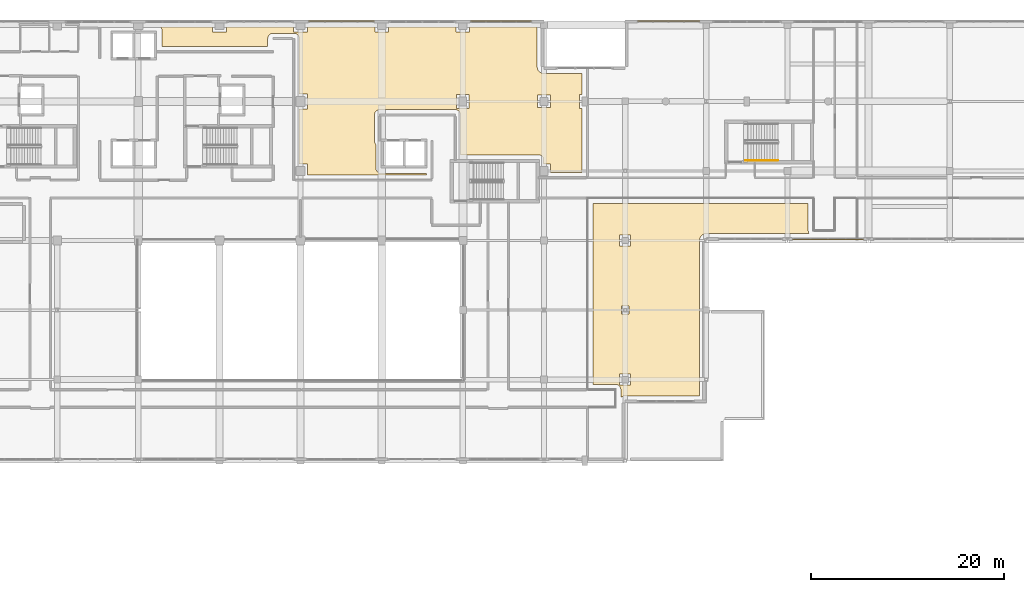
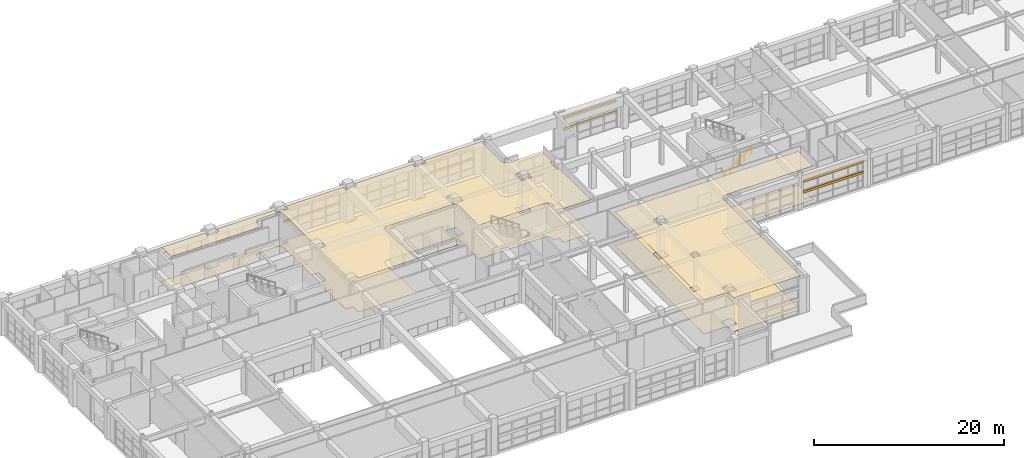
# One storey, part 121 of 123: 8 shading devices, 4 coverings, 1 railing.
"""IFC4 building model written with IfcOpenShell, lengths in metres."""

from ifc_helpers import new_model, si_unit, direction, frame, origin, origin_2d, place, context, subcontext, project, spatial, polyline, hollow_rectangle, circle, outline, extrude, material, layer, layer_set, material_profile, profile_set, type_object, element, save


model = new_model("IFC4")

# Units and contexts
model_context = context("Model", 3, precision=1e-05, world=origin(), true_north=direction((0.0, 1.0)))
body_context = subcontext(model_context, "Body", "Model", "MODEL_VIEW")
ifc_project = project(units=[si_unit("LENGTHUNIT", "METRE"), si_unit("AREAUNIT", "SQUARE_METRE"), si_unit("VOLUMEUNIT", "CUBIC_METRE"), si_unit("PLANEANGLEUNIT", "RADIAN"), si_unit("MASSUNIT", "GRAM", prefix="KILO")], contexts=[model_context])

# Site, building, storey
site_placement = place(None, origin())
site = spatial("IfcSite", under=ifc_project, at=site_placement, CompositionType="ELEMENT")
building_placement = place(site_placement, origin())
building = spatial("IfcBuilding", under=site, at=building_placement, Name="Quendrovan Civic Courthouse", CompositionType="ELEMENT")
storey_placement = place(building_placement, frame((0.0, 0.0, 5.39990234375)))
storey = spatial("IfcBuildingStorey", under=building, at=storey_placement, Name="L02", CompositionType="ELEMENT", Elevation=5.39990234375)

# Coverings
ifc_material_1 = material(Name="Perforated Western Red Cedar and mineral acoustic ceiling")
ifc_layer_1 = layer(ifc_material_1, 0.034912109375, Name="Perforated Western Red Cedar and mineral acoustic ceiling")
ifc_layer_set_1 = layer_set([ifc_layer_1], Name="Perforated Western Red Cedar and mineral acoustic ceiling")
covering_type_1 = type_object("IfcCoveringType", Name="COV-CEIL-ACOUSTIC", PredefinedType="CEILING", material=ifc_layer_set_1)
covering_1_placement = place(storey_placement, frame((0.0, 0.0, 4.34521484375)))
element("IfcCovering", 1, at=covering_1_placement, inside=storey, type_object=covering_type_1, Name="L02 Trial Courtroom Acoustic Ceiling", PredefinedType="CEILING", context=body_context, shape_type="SweptSolid", body=[
    extrude(outline(polyline([(64.001220703125, 108.92529296875), (63.961181640625, 108.888916015625), (63.9248046875, 108.848876953125), (63.892578125, 108.8056640625), (63.864990234375, 108.75927734375), (63.841796875, 108.71044921875), (63.82373046875, 108.65966796875), (63.810546875, 108.607421875), (63.802490234375, 108.553955078125), (63.800048828125, 108.5), (63.800048828125, 107.699951171875), (52.860107421875, 107.699951171875), (52.860107421875, 109.31005859375), (52.857421875, 109.364013671875), (52.849365234375, 109.417236328125), (52.836181640625, 109.4697265625), (52.818115234375, 109.5205078125), (52.795166015625, 109.5693359375), (52.767333984375, 109.615478515625), (52.735107421875, 109.658935546875), (52.70703125, 109.68994140625), (58.074951171875, 109.68994140625), (58.074951171875, 109.175048828125), (59.52490234375, 109.175048828125), (59.52490234375, 109.68994140625), (66.47509765625, 109.68994140625), (66.47509765625, 109.175048828125), (67.925048828125, 109.175048828125), (67.925048828125, 109.68994140625), (74.89990234375, 109.68994140625), (74.89990234375, 109.199951171875), (76.300048828125, 109.199951171875), (76.300048828125, 109.68994140625), (83.300048828125, 109.68994140625), (83.300048828125, 109.199951171875), (84.699951171875, 109.199951171875), (84.699951171875, 109.68994140625), (91.68994140625, 109.68994140625), (91.68994140625, 105.60009765625), (91.690673828125, 105.572021484375), (91.69140625, 105.556396484375), (91.69677734375, 105.503662109375), (91.69921875, 105.488037109375), (91.70947265625, 105.435302734375), (91.71337890625, 105.420166015625), (91.72900390625, 105.3681640625), (91.734375, 105.353515625), (91.7548828125, 105.30419921875), (91.761474609375, 105.289794921875), (91.787353515625, 105.24169921875), (91.79541015625, 105.22802734375), (91.824462890625, 105.1845703125), (91.833740234375, 105.171875), (91.870361328125, 105.12744140625), (91.880859375, 105.115966796875), (91.916015625, 105.080810546875), (91.927490234375, 105.0703125), (91.971923828125, 105.03369140625), (91.984619140625, 105.0244140625), (92.028076171875, 104.995361328125), (92.04150390625, 104.9873046875), (92.08984375, 104.96142578125), (92.10400390625, 104.954833984375), (92.1533203125, 104.934326171875), (92.168212890625, 104.92919921875), (92.22021484375, 104.913330078125), (92.2353515625, 104.909423828125), (92.2880859375, 104.899169921875), (92.3037109375, 104.896728515625), (92.356201171875, 104.8916015625), (92.3720703125, 104.890625), (92.39990234375, 104.889892578125), (96.35009765625, 104.889892578125), (96.35009765625, 102.72509765625), (96.074951171875, 102.72509765625), (96.074951171875, 101.27490234375), (96.35009765625, 101.27490234375), (96.35009765625, 94.64990234375), (93.050048828125, 94.64990234375), (93.050048828125, 95.52490234375), (92.3701171875, 95.52490234375), (92.3701171875, 95.919921875), (92.367431640625, 95.973876953125), (92.359375, 96.02734375), (92.34619140625, 96.07958984375), (92.328125, 96.130615234375), (92.30517578125, 96.17919921875), (92.27734375, 96.2255859375), (92.2451171875, 96.268798828125), (92.208984375, 96.308837890625), (92.1689453125, 96.34521484375), (92.12548828125, 96.377197265625), (92.079345703125, 96.405029296875), (92.030517578125, 96.427978515625), (91.979736328125, 96.4462890625), (91.92724609375, 96.45947265625), (91.873779296875, 96.46728515625), (91.820068359375, 96.469970703125), (83.75, 96.469970703125), (83.75, 100.60009765625), (83.747314453125, 100.65380859375), (83.739501953125, 100.707275390625), (83.726318359375, 100.759765625), (83.7080078125, 100.810546875), (83.68505859375, 100.859375), (83.6572265625, 100.905517578125), (83.625244140625, 100.948974609375), (83.5888671875, 100.989013671875), (83.548828125, 101.025146484375), (83.505615234375, 101.057373046875), (83.459228515625, 101.085205078125), (83.410400390625, 101.108154296875), (83.359619140625, 101.126220703125), (83.307373046875, 101.139404296875), (83.25390625, 101.1474609375), (83.199951171875, 101.14990234375), (75.39990234375, 101.14990234375), (75.34619140625, 101.1474609375), (75.292724609375, 101.139404296875), (75.240234375, 101.126220703125), (75.189453125, 101.108154296875), (75.140625, 101.085205078125), (75.094482421875, 101.057373046875), (75.051025390625, 101.025146484375), (75.010986328125, 100.989013671875), (74.974853515625, 100.948974609375), (74.942626953125, 100.905517578125), (74.914794921875, 100.859375), (74.891845703125, 100.810546875), (74.873779296875, 100.759765625), (74.860595703125, 100.707275390625), (74.8525390625, 100.65380859375), (74.85009765625, 100.60009765625), (74.85009765625, 97.89990234375), (74.8525390625, 97.84619140625), (74.860595703125, 97.792724609375), (74.873779296875, 97.740234375), (74.891845703125, 97.689453125), (74.914794921875, 97.640625), (74.942626953125, 97.594482421875), (74.974853515625, 97.551025390625), (74.989990234375, 97.534423828125), (74.989990234375, 95.090087890625), (74.99267578125, 95.0361328125), (75.00048828125, 94.982666015625), (75.013671875, 94.930419921875), (75.031982421875, 94.87939453125), (75.054931640625, 94.830810546875), (75.082763671875, 94.784423828125), (75.11474609375, 94.7412109375), (75.151123046875, 94.701171875), (75.191162109375, 94.664794921875), (75.234375, 94.6328125), (75.28076171875, 94.60498046875), (75.32958984375, 94.581787109375), (75.38037109375, 94.563720703125), (75.4326171875, 94.550537109375), (75.486083984375, 94.54248046875), (75.5400390625, 94.5400390625), (80.25, 94.5400390625), (80.25, 94.39990234375), (67.925048828125, 94.39990234375), (67.925048828125, 95.52490234375), (67.050048828125, 95.52490234375), (67.050048828125, 101.22509765625), (67.89990234375, 101.22509765625), (67.89990234375, 102.77490234375), (67.050048828125, 102.77490234375), (67.050048828125, 108.5), (67.04736328125, 108.553955078125), (67.039306640625, 108.607421875), (67.0263671875, 108.65966796875), (67.008056640625, 108.71044921875), (66.985107421875, 108.75927734375), (66.957275390625, 108.8056640625), (66.92529296875, 108.848876953125), (66.888916015625, 108.888916015625), (66.848876953125, 108.92529296875), (66.8056640625, 108.957275390625), (66.75927734375, 108.985107421875), (66.71044921875, 109.008056640625), (66.65966796875, 109.0263671875), (66.607421875, 109.039306640625), (66.553955078125, 109.04736328125), (66.5, 109.050048828125), (64.35009765625, 109.050048828125), (64.296142578125, 109.04736328125), (64.24267578125, 109.039306640625), (64.190185546875, 109.0263671875), (64.139404296875, 109.008056640625), (64.0908203125, 108.985107421875), (64.04443359375, 108.957275390625), (64.001220703125, 108.92529296875)]), holes=[polyline([(83.35009765625, 102.72509765625), (83.35009765625, 101.27490234375), (84.64990234375, 101.27490234375), (84.64990234375, 102.72509765625), (83.35009765625, 102.72509765625)]), polyline([(93.050048828125, 101.35009765625), (93.050048828125, 102.64990234375), (91.75, 102.64990234375), (91.75, 101.35009765625), (93.050048828125, 101.35009765625)])]), origin(), (0.0, 0.0, 1.0), 0.034912109375),
])
covering_2_placement = place(storey_placement, frame((0.0, 0.0, 4.34521484375)))
element("IfcCovering", 2, at=covering_2_placement, inside=storey, type_object=covering_type_1, Name="L02 Public Hall Upper Waiting Gallery Acoustic Ceiling", PredefinedType="CEILING", context=body_context, shape_type="SweptSolid", body=[
    extrude(outline(polyline([(100.504150390625, 71.4453125), (100.489990234375, 71.4384765625), (100.441650390625, 71.41259765625), (100.427978515625, 71.404541015625), (100.384521484375, 71.37548828125), (100.371826171875, 71.3662109375), (100.35009765625, 71.34814453125), (100.35009765625, 72.14990234375), (100.347412109375, 72.203857421875), (100.33935546875, 72.25732421875), (100.326416015625, 72.309814453125), (100.30810546875, 72.360595703125), (100.28515625, 72.4091796875), (100.25732421875, 72.45556640625), (100.22509765625, 72.498779296875), (100.18896484375, 72.538818359375), (100.14892578125, 72.5751953125), (100.105712890625, 72.607421875), (100.059326171875, 72.635009765625), (100.010498046875, 72.658203125), (99.959716796875, 72.67626953125), (99.9072265625, 72.689453125), (99.85400390625, 72.697509765625), (99.800048828125, 72.699951171875), (97.449951171875, 72.699951171875), (97.449951171875, 91.449951171875), (119.75, 91.449951171875), (119.75, 88.60009765625), (119.752685546875, 88.546142578125), (119.760498046875, 88.49267578125), (119.773681640625, 88.440185546875), (119.7919921875, 88.389404296875), (119.81494140625, 88.3408203125), (119.83349609375, 88.31005859375), (109.199951171875, 88.31005859375), (109.172119140625, 88.309326171875), (109.15625, 88.30859375), (109.103515625, 88.30322265625), (109.088134765625, 88.30078125), (109.035400390625, 88.29052734375), (109.020263671875, 88.28662109375), (108.96826171875, 88.27099609375), (108.953369140625, 88.265625), (108.904052734375, 88.2451171875), (108.889892578125, 88.238525390625), (108.841552734375, 88.212646484375), (108.828125, 88.20458984375), (108.784423828125, 88.175537109375), (108.77197265625, 88.166259765625), (108.7275390625, 88.129638671875), (108.7158203125, 88.119140625), (108.680908203125, 88.083984375), (108.67041015625, 88.072509765625), (108.6337890625, 88.028076171875), (108.62451171875, 88.015380859375), (108.595458984375, 87.971923828125), (108.58740234375, 87.95849609375), (108.5615234375, 87.91015625), (108.5546875, 87.89599609375), (108.534423828125, 87.8466796875), (108.529052734375, 87.831787109375), (108.51318359375, 87.77978515625), (108.509521484375, 87.7646484375), (108.4990234375, 87.7119140625), (108.496826171875, 87.6962890625), (108.491455078125, 87.643798828125), (108.49072265625, 87.6279296875), (108.489990234375, 87.60009765625), (108.489990234375, 71.510009765625), (100.800048828125, 71.510009765625), (100.77197265625, 71.50927734375), (100.75634765625, 71.508544921875), (100.70361328125, 71.503173828125), (100.68798828125, 71.5009765625), (100.635498046875, 71.490478515625), (100.6201171875, 71.48681640625), (100.568115234375, 71.470947265625), (100.553466796875, 71.465576171875), (100.504150390625, 71.4453125)]), holes=[polyline([(100.22509765625, 73.77490234375), (100.22509765625, 72.625), (101.375, 72.625), (101.375, 73.77490234375), (100.22509765625, 73.77490234375)]), polyline([(101.199951171875, 80.800048828125), (100.39990234375, 80.800048828125), (100.39990234375, 80.0), (101.199951171875, 80.0), (101.199951171875, 80.800048828125)]), polyline([(101.375, 87.02490234375), (101.375, 88.175048828125), (100.22509765625, 88.175048828125), (100.22509765625, 87.02490234375), (101.375, 87.02490234375)])]), origin(), (0.0, 0.0, 1.0), 0.034912109375),
])
ifc_material_2 = material(Name="Honed Dominican coralina limestone flooring", Category="masonry")
ifc_layer_2 = layer(ifc_material_2, 0.030029296875, Name="Honed Dominican coralina limestone flooring")
ifc_layer_set_2 = layer_set([ifc_layer_2], Name="Honed Dominican coralina limestone flooring")
covering_type_2 = type_object("IfcCoveringType", Name="COV-FLOR-STONE", PredefinedType="FLOORING", material=ifc_layer_set_2)
covering_3_placement = place(storey_placement, origin())
element("IfcCovering", 3, at=covering_3_placement, inside=storey, type_object=covering_type_2, Name="L02 Public Hall Upper Waiting Gallery Finish Flooring", PredefinedType="FLOORING", context=body_context, shape_type="SweptSolid", body=[
    extrude(outline(polyline([(100.504150390625, 71.4453125), (100.489990234375, 71.4384765625), (100.441650390625, 71.41259765625), (100.427978515625, 71.404541015625), (100.384521484375, 71.37548828125), (100.371826171875, 71.3662109375), (100.35009765625, 71.34814453125), (100.35009765625, 72.14990234375), (100.347412109375, 72.203857421875), (100.33935546875, 72.25732421875), (100.326416015625, 72.309814453125), (100.30810546875, 72.360595703125), (100.28515625, 72.4091796875), (100.25732421875, 72.45556640625), (100.22509765625, 72.498779296875), (100.18896484375, 72.538818359375), (100.14892578125, 72.5751953125), (100.105712890625, 72.607421875), (100.059326171875, 72.635009765625), (100.010498046875, 72.658203125), (99.959716796875, 72.67626953125), (99.9072265625, 72.689453125), (99.85400390625, 72.697509765625), (99.800048828125, 72.699951171875), (97.449951171875, 72.699951171875), (97.449951171875, 91.449951171875), (119.75, 91.449951171875), (119.75, 88.60009765625), (119.752685546875, 88.546142578125), (119.760498046875, 88.49267578125), (119.773681640625, 88.440185546875), (119.7919921875, 88.389404296875), (119.81494140625, 88.3408203125), (119.83349609375, 88.31005859375), (109.199951171875, 88.31005859375), (109.172119140625, 88.309326171875), (109.15625, 88.30859375), (109.103515625, 88.30322265625), (109.088134765625, 88.30078125), (109.035400390625, 88.29052734375), (109.020263671875, 88.28662109375), (108.96826171875, 88.27099609375), (108.953369140625, 88.265625), (108.904052734375, 88.2451171875), (108.889892578125, 88.238525390625), (108.841552734375, 88.212646484375), (108.828125, 88.20458984375), (108.784423828125, 88.175537109375), (108.77197265625, 88.166259765625), (108.7275390625, 88.129638671875), (108.7158203125, 88.119140625), (108.680908203125, 88.083984375), (108.67041015625, 88.072509765625), (108.6337890625, 88.028076171875), (108.62451171875, 88.015380859375), (108.595458984375, 87.971923828125), (108.58740234375, 87.95849609375), (108.5615234375, 87.91015625), (108.5546875, 87.89599609375), (108.534423828125, 87.8466796875), (108.529052734375, 87.831787109375), (108.51318359375, 87.77978515625), (108.509521484375, 87.7646484375), (108.4990234375, 87.7119140625), (108.496826171875, 87.6962890625), (108.491455078125, 87.643798828125), (108.49072265625, 87.6279296875), (108.489990234375, 87.60009765625), (108.489990234375, 71.510009765625), (100.800048828125, 71.510009765625), (100.77197265625, 71.50927734375), (100.75634765625, 71.508544921875), (100.70361328125, 71.503173828125), (100.68798828125, 71.5009765625), (100.635498046875, 71.490478515625), (100.6201171875, 71.48681640625), (100.568115234375, 71.470947265625), (100.553466796875, 71.465576171875), (100.504150390625, 71.4453125)]), holes=[polyline([(100.22509765625, 73.77490234375), (100.22509765625, 72.625), (101.375, 72.625), (101.375, 73.77490234375), (100.22509765625, 73.77490234375)]), polyline([(101.199951171875, 80.800048828125), (100.39990234375, 80.800048828125), (100.39990234375, 80.0), (101.199951171875, 80.0), (101.199951171875, 80.800048828125)]), polyline([(101.375, 87.02490234375), (101.375, 88.175048828125), (100.22509765625, 88.175048828125), (100.22509765625, 87.02490234375), (101.375, 87.02490234375)])]), origin(), (0.0, 0.0, 1.0), 0.030029296875),
])
ifc_material_3 = material(Name="Solid oak courtroom parquet flooring")
ifc_layer_3 = layer(ifc_material_3, 0.02490234375, Name="Solid oak courtroom parquet flooring")
ifc_layer_set_3 = layer_set([ifc_layer_3], Name="Solid oak courtroom parquet flooring")
covering_type_3 = type_object("IfcCoveringType", Name="COV-FLOR-TIMBER", PredefinedType="FLOORING", material=ifc_layer_set_3)
covering_4_placement = place(storey_placement, origin())
element("IfcCovering", 4, at=covering_4_placement, inside=storey, type_object=covering_type_3, Name="L02 Trial Courtroom Finish Flooring", PredefinedType="FLOORING", context=body_context, shape_type="SweptSolid", body=[
    extrude(outline(polyline([(64.001220703125, 108.92529296875), (63.961181640625, 108.888916015625), (63.9248046875, 108.848876953125), (63.892578125, 108.8056640625), (63.864990234375, 108.75927734375), (63.841796875, 108.71044921875), (63.82373046875, 108.65966796875), (63.810546875, 108.607421875), (63.802490234375, 108.553955078125), (63.800048828125, 108.5), (63.800048828125, 107.699951171875), (52.860107421875, 107.699951171875), (52.860107421875, 109.31005859375), (52.857421875, 109.364013671875), (52.849365234375, 109.417236328125), (52.836181640625, 109.4697265625), (52.818115234375, 109.5205078125), (52.795166015625, 109.5693359375), (52.767333984375, 109.615478515625), (52.735107421875, 109.658935546875), (52.70703125, 109.68994140625), (58.074951171875, 109.68994140625), (58.074951171875, 109.175048828125), (59.52490234375, 109.175048828125), (59.52490234375, 109.68994140625), (66.47509765625, 109.68994140625), (66.47509765625, 109.175048828125), (67.925048828125, 109.175048828125), (67.925048828125, 109.68994140625), (74.89990234375, 109.68994140625), (74.89990234375, 109.199951171875), (76.300048828125, 109.199951171875), (76.300048828125, 109.68994140625), (83.300048828125, 109.68994140625), (83.300048828125, 109.199951171875), (84.699951171875, 109.199951171875), (84.699951171875, 109.68994140625), (91.68994140625, 109.68994140625), (91.68994140625, 105.60009765625), (91.690673828125, 105.572021484375), (91.69140625, 105.556396484375), (91.69677734375, 105.503662109375), (91.69921875, 105.488037109375), (91.70947265625, 105.435302734375), (91.71337890625, 105.420166015625), (91.72900390625, 105.3681640625), (91.734375, 105.353515625), (91.7548828125, 105.30419921875), (91.761474609375, 105.289794921875), (91.787353515625, 105.24169921875), (91.79541015625, 105.22802734375), (91.824462890625, 105.1845703125), (91.833740234375, 105.171875), (91.870361328125, 105.12744140625), (91.880859375, 105.115966796875), (91.916015625, 105.080810546875), (91.927490234375, 105.0703125), (91.971923828125, 105.03369140625), (91.984619140625, 105.0244140625), (92.028076171875, 104.995361328125), (92.04150390625, 104.9873046875), (92.08984375, 104.96142578125), (92.10400390625, 104.954833984375), (92.1533203125, 104.934326171875), (92.168212890625, 104.92919921875), (92.22021484375, 104.913330078125), (92.2353515625, 104.909423828125), (92.2880859375, 104.899169921875), (92.3037109375, 104.896728515625), (92.356201171875, 104.8916015625), (92.3720703125, 104.890625), (92.39990234375, 104.889892578125), (96.35009765625, 104.889892578125), (96.35009765625, 102.72509765625), (96.074951171875, 102.72509765625), (96.074951171875, 101.27490234375), (96.35009765625, 101.27490234375), (96.35009765625, 94.64990234375), (93.050048828125, 94.64990234375), (93.050048828125, 95.52490234375), (92.3701171875, 95.52490234375), (92.3701171875, 95.919921875), (92.367431640625, 95.973876953125), (92.359375, 96.02734375), (92.34619140625, 96.07958984375), (92.328125, 96.130615234375), (92.30517578125, 96.17919921875), (92.27734375, 96.2255859375), (92.2451171875, 96.268798828125), (92.208984375, 96.308837890625), (92.1689453125, 96.34521484375), (92.12548828125, 96.377197265625), (92.079345703125, 96.405029296875), (92.030517578125, 96.427978515625), (91.979736328125, 96.4462890625), (91.92724609375, 96.45947265625), (91.873779296875, 96.46728515625), (91.820068359375, 96.469970703125), (83.75, 96.469970703125), (83.75, 100.60009765625), (83.747314453125, 100.65380859375), (83.739501953125, 100.707275390625), (83.726318359375, 100.759765625), (83.7080078125, 100.810546875), (83.68505859375, 100.859375), (83.6572265625, 100.905517578125), (83.625244140625, 100.948974609375), (83.5888671875, 100.989013671875), (83.548828125, 101.025146484375), (83.505615234375, 101.057373046875), (83.459228515625, 101.085205078125), (83.410400390625, 101.108154296875), (83.359619140625, 101.126220703125), (83.307373046875, 101.139404296875), (83.25390625, 101.1474609375), (83.199951171875, 101.14990234375), (75.39990234375, 101.14990234375), (75.34619140625, 101.1474609375), (75.292724609375, 101.139404296875), (75.240234375, 101.126220703125), (75.189453125, 101.108154296875), (75.140625, 101.085205078125), (75.094482421875, 101.057373046875), (75.051025390625, 101.025146484375), (75.010986328125, 100.989013671875), (74.974853515625, 100.948974609375), (74.942626953125, 100.905517578125), (74.914794921875, 100.859375), (74.891845703125, 100.810546875), (74.873779296875, 100.759765625), (74.860595703125, 100.707275390625), (74.8525390625, 100.65380859375), (74.85009765625, 100.60009765625), (74.85009765625, 97.89990234375), (74.8525390625, 97.84619140625), (74.860595703125, 97.792724609375), (74.873779296875, 97.740234375), (74.891845703125, 97.689453125), (74.914794921875, 97.640625), (74.942626953125, 97.594482421875), (74.974853515625, 97.551025390625), (74.989990234375, 97.534423828125), (74.989990234375, 95.090087890625), (74.99267578125, 95.0361328125), (75.00048828125, 94.982666015625), (75.013671875, 94.930419921875), (75.031982421875, 94.87939453125), (75.054931640625, 94.830810546875), (75.082763671875, 94.784423828125), (75.11474609375, 94.7412109375), (75.151123046875, 94.701171875), (75.191162109375, 94.664794921875), (75.234375, 94.6328125), (75.28076171875, 94.60498046875), (75.32958984375, 94.581787109375), (75.38037109375, 94.563720703125), (75.4326171875, 94.550537109375), (75.486083984375, 94.54248046875), (75.5400390625, 94.5400390625), (80.25, 94.5400390625), (80.25, 94.39990234375), (67.925048828125, 94.39990234375), (67.925048828125, 95.52490234375), (67.050048828125, 95.52490234375), (67.050048828125, 101.22509765625), (67.89990234375, 101.22509765625), (67.89990234375, 102.77490234375), (67.050048828125, 102.77490234375), (67.050048828125, 108.5), (67.04736328125, 108.553955078125), (67.039306640625, 108.607421875), (67.0263671875, 108.65966796875), (67.008056640625, 108.71044921875), (66.985107421875, 108.75927734375), (66.957275390625, 108.8056640625), (66.92529296875, 108.848876953125), (66.888916015625, 108.888916015625), (66.848876953125, 108.92529296875), (66.8056640625, 108.957275390625), (66.75927734375, 108.985107421875), (66.71044921875, 109.008056640625), (66.65966796875, 109.0263671875), (66.607421875, 109.039306640625), (66.553955078125, 109.04736328125), (66.5, 109.050048828125), (64.35009765625, 109.050048828125), (64.296142578125, 109.04736328125), (64.24267578125, 109.039306640625), (64.190185546875, 109.0263671875), (64.139404296875, 109.008056640625), (64.0908203125, 108.985107421875), (64.04443359375, 108.957275390625), (64.001220703125, 108.92529296875)]), holes=[polyline([(83.35009765625, 102.72509765625), (83.35009765625, 101.27490234375), (84.64990234375, 101.27490234375), (84.64990234375, 102.72509765625), (83.35009765625, 102.72509765625)]), polyline([(93.050048828125, 101.35009765625), (93.050048828125, 102.64990234375), (91.75, 102.64990234375), (91.75, 101.35009765625), (93.050048828125, 101.35009765625)])]), origin(), (0.0, 0.0, 1.0), 0.025146484375),
])

# Railing
ifc_material_4 = material(Name="Bronze anodised aluminium", Category="aluminium")
railing_type = type_object("IfcRailingType", Name="RL-STR-HAND900", PredefinedType="HANDRAIL", material=ifc_material_4)
railing_placement = place(storey_placement, frame((113.25, 95.89990234375, 0.184814453125)))
element("IfcRailing", 5, at=railing_placement, inside=storey, type_object=railing_type, Name="L02 ST6 stair handrail 1", PredefinedType="HANDRAIL", context=body_context, shape_type="SweptSolid", body=[
    extrude(circle(Radius=0.02392578125, at=origin_2d()), frame((0.0, 0.0, 0.8759765625), z_axis=(0.834876476806, 0.0, 0.550437342915), x_axis=(0.0, 1.0, 0.0)), (0.0, 0.0, 1.0), 4.024658203125),
    extrude(circle(Radius=0.02099609375, at=origin_2d()), origin(), (0.0, 0.0, 1.0), 0.851806640625),
    extrude(circle(Radius=0.02099609375, at=origin_2d()), frame((0.840087890625, 0.0, 0.5537109375)), (0.0, 0.0, 1.0), 0.851806640625),
    extrude(circle(Radius=0.02099609375, at=origin_2d()), frame((1.68017578125, 0.0, 1.107666015625)), (0.0, 0.0, 1.0), 0.851806640625),
    extrude(circle(Radius=0.02099609375, at=origin_2d()), frame((2.52001953125, 0.0, 1.66162109375)), (0.0, 0.0, 1.0), 0.851806640625),
    extrude(circle(Radius=0.02099609375, at=origin_2d()), frame((3.360107421875, 0.0, 2.21533203125)), (0.0, 0.0, 1.0), 0.851806640625),
])

# Shading devices
ifc_material_profile = material_profile(ifc_material_4, hollow_rectangle(XDim=0.06494140625, YDim=0.320068359375, WallThickness=0.0048828125, at=origin_2d()), Name="AL-LOUVRE-65x320")
ifc_profile_set = profile_set([ifc_material_profile], Name="Bronze anodised aluminium")
shading_device_type = type_object("IfcShadingDeviceType", Name="SHD-STORM-LOUVRE", PredefinedType="JALOUSIE", material=ifc_profile_set)
for number, where, z_axis, x_axis, name in (
    (6, (68.02490234375, 110.31494140625, 1.9501953125), (1.0, 0.0, 0.0), (0.0, 1.0, 0.0), "L02 Bronze Hurricane Storm Louvre SLV-085"),
    (7, (68.02490234375, 110.31494140625, 3.35009765625), (1.0, 0.0, 0.0), (0.0, 1.0, 0.0), "L02 Bronze Hurricane Storm Louvre SLV-086"),
):
    element("IfcShadingDevice", number, at=place(storey_placement, frame(where, z_axis=z_axis, x_axis=x_axis)), inside=storey, type_object=shading_device_type, Name=name, PredefinedType="JALOUSIE", context=body_context, shape_type="SweptSolid", body=[
        extrude(hollow_rectangle(XDim=0.06494140625, YDim=0.320068359375, WallThickness=0.0048828125, at=origin_2d()), origin(), (0.0, 0.0, 1.0), 6.775146484375),
    ])
for number, where, z_axis, x_axis, name in (
    (8, (84.800048828125, 110.31494140625, 1.9501953125), (1.0, 0.0, 0.0), (0.0, 1.0, 0.0), "L02 Bronze Hurricane Storm Louvre SLV-087"),
    (9, (84.800048828125, 110.31494140625, 3.35009765625), (1.0, 0.0, 0.0), (0.0, 1.0, 0.0), "L02 Bronze Hurricane Storm Louvre SLV-088"),
):
    element("IfcShadingDevice", number, at=place(storey_placement, frame(where, z_axis=z_axis, x_axis=x_axis)), inside=storey, type_object=shading_device_type, Name=name, PredefinedType="JALOUSIE", context=body_context, shape_type="SweptSolid", body=[
        extrude(hollow_rectangle(XDim=0.06494140625, YDim=0.320068359375, WallThickness=0.0048828125, at=origin_2d()), origin(), (0.0, 0.0, 1.0), 6.300048828125),
    ])
for number, where, z_axis, x_axis, name in (
    (10, (102.10009765625, 110.31494140625, 1.9501953125), (1.0, 0.0, 0.0), (0.0, 1.0, 0.0), "L02 Bronze Hurricane Storm Louvre SLV-089"),
    (11, (102.10009765625, 110.31494140625, 3.35009765625), (1.0, 0.0, 0.0), (0.0, 1.0, 0.0), "L02 Bronze Hurricane Storm Louvre SLV-090"),
):
    element("IfcShadingDevice", number, at=place(storey_placement, frame(where, z_axis=z_axis, x_axis=x_axis)), inside=storey, type_object=shading_device_type, Name=name, PredefinedType="JALOUSIE", context=body_context, shape_type="SweptSolid", body=[
        extrude(hollow_rectangle(XDim=0.06494140625, YDim=0.320068359375, WallThickness=0.0048828125, at=origin_2d()), origin(), (0.0, 0.0, 1.0), 6.39990234375),
    ])
for number, where, z_axis, x_axis, name in (
    (12, (125.462890625, 87.68505859375, 1.9501953125), (-1.0, 0.0, 0.0), (0.0, -1.0, 0.0), "L02 Bronze Hurricane Storm Louvre SLV-103"),
    (13, (125.462890625, 87.68505859375, 3.35009765625), (-1.0, 0.0, 0.0), (0.0, -1.0, 0.0), "L02 Bronze Hurricane Storm Louvre SLV-104"),
):
    element("IfcShadingDevice", number, at=place(storey_placement, frame(where, z_axis=z_axis, x_axis=x_axis)), inside=storey, type_object=shading_device_type, Name=name, PredefinedType="JALOUSIE", context=body_context, shape_type="SweptSolid", body=[
        extrude(hollow_rectangle(XDim=0.06494140625, YDim=0.320068359375, WallThickness=0.0048828125, at=origin_2d()), origin(), (0.0, 0.0, 1.0), 7.325927734375),
    ])

save(model, "model.ifc")
